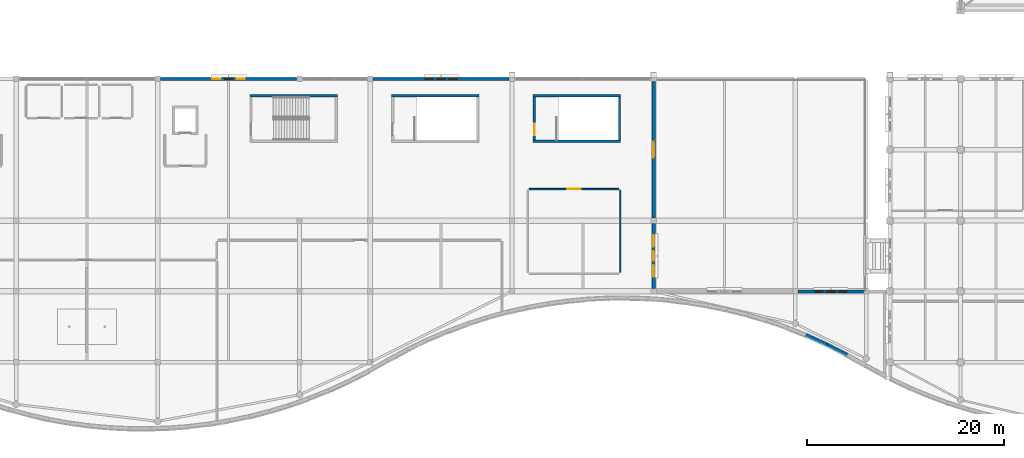
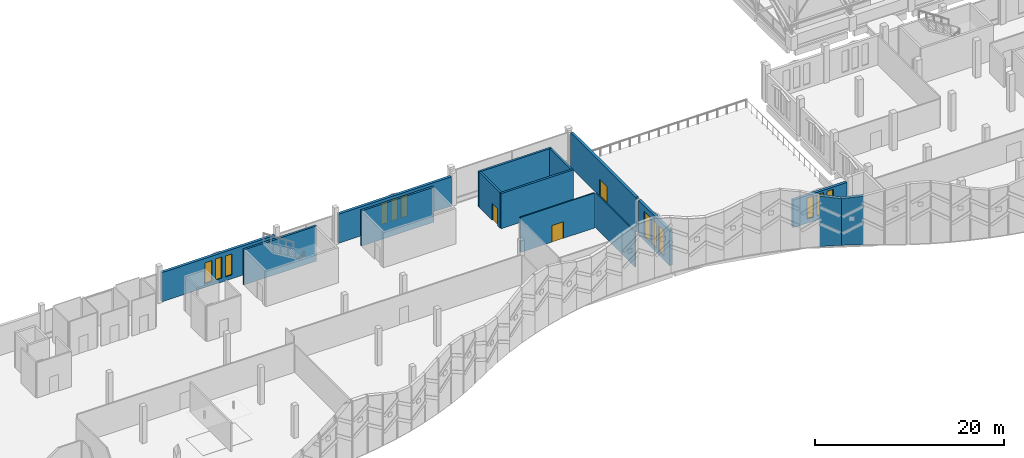
# One storey, part 86 of 116: 15 walls, 12 windows, 3 doors, 15 openings.
"""IFC4 building model written with IfcOpenShell, lengths in metres."""

from ifc_helpers import new_model, si_unit, direction, frame, frame_2d, origin, place, context, subcontext, project, spatial, polyline, rectangle, outline, extrude, material, layer, layer_set, type_object, element, fill, save


model = new_model("IFC4")

# Units and contexts
model_context = context("Model", 3, precision=1e-05, world=origin(), true_north=direction((0.0, 1.0)))
body_context = subcontext(model_context, "Body", "Model", "MODEL_VIEW")
ifc_project = project(units=[si_unit("LENGTHUNIT", "METRE"), si_unit("AREAUNIT", "SQUARE_METRE"), si_unit("VOLUMEUNIT", "CUBIC_METRE"), si_unit("PLANEANGLEUNIT", "RADIAN"), si_unit("MASSUNIT", "GRAM", prefix="KILO")], contexts=[model_context])

# Site, building, storey
site_placement = place(None, origin())
site = spatial("IfcSite", under=ifc_project, at=site_placement, CompositionType="ELEMENT")
building_placement = place(site_placement, origin())
building = spatial("IfcBuilding", under=site, at=building_placement, Name="Cendralis Lancet Convention Centre", CompositionType="ELEMENT")
storey_placement = place(building_placement, frame((0.0, 0.0, 15.0)))
storey = spatial("IfcBuildingStorey", under=building, at=storey_placement, Name="L03", CompositionType="ELEMENT", Elevation=15.0)

# Wall, openings, windows
ifc_material_1 = material(Name="Buff sandstone ashlar and Concrete G40 (C40/50)", Category="masonry")
ifc_layer_1 = layer(ifc_material_1, 0.320068359375, Name="Buff sandstone ashlar and Concrete G40 (C40/50)")
ifc_layer_set_1 = layer_set([ifc_layer_1], Name="Buff sandstone ashlar and Concrete G40 (C40/50)")
wall_type_1 = type_object("IfcWallType", Name="ARC-EW-W320", PredefinedType="STANDARD", material=ifc_layer_set_1)
wall_1_placement = place(storey_placement, frame((57.883056640625, 36.0, 0.0), z_axis=(0.0, 0.0, 1.0), x_axis=(1.0, 0.0, 0.0)))
wall_1 = element("IfcWall", 1, at=wall_1_placement, inside=storey, type_object=wall_type_1, Name="L03 V4 Exterior Wall EW-06 #0220", PredefinedType="STANDARD", context=body_context, shape_type="SweptSolid", body=[
    extrude(rectangle(XDim=13.833984375, YDim=0.320068359375, at=frame_2d((6.9169921875, 0.0))), origin(), (0.0, 0.0, 1.0), 3.784912109375),
])
opening_1_placement = place(wall_1_placement, frame((5.257080078125, 0.0, 0.5)))
opening_1 = element("IfcOpeningElement", 2, at=opening_1_placement, cuts=wall_1, Name="Opening WN-15", PredefinedType="OPENING", context=body_context, shape_type="SweptSolid", body=[
    extrude(rectangle(XDim=0.840087890625, YDim=2.699951171875, at=frame_2d((0.419921875, 1.35009765625))), frame((0.0, 0.169921875, 0.0), z_axis=(0.0, -1.0, 0.0), x_axis=(1.0, 0.0, 0.0)), (0.0, 0.0, 1.0), 0.340087890625),
])
opening_2_placement = place(wall_1_placement, frame((6.51708984375, 0.0, 0.5)))
opening_2 = element("IfcOpeningElement", 3, at=opening_2_placement, cuts=wall_1, Name="Opening WN-07", PredefinedType="OPENING", context=body_context, shape_type="SweptSolid", body=[
    extrude(rectangle(XDim=0.800048828125, YDim=2.75, at=frame_2d((0.39990234375, 1.375))), frame((0.0, 0.169921875, 0.0), z_axis=(0.0, -1.0, 0.0), x_axis=(1.0, 0.0, 0.0)), (0.0, 0.0, 1.0), 0.340087890625),
])
opening_3_placement = place(wall_1_placement, frame((7.737060546875, 0.0, 0.5)))
opening_3 = element("IfcOpeningElement", 4, at=opening_3_placement, cuts=wall_1, Name="Opening WN-15", PredefinedType="OPENING", context=body_context, shape_type="SweptSolid", body=[
    extrude(rectangle(XDim=0.840087890625, YDim=2.699951171875, at=frame_2d((0.419921875, 1.35009765625))), frame((0.0, 0.169921875, 0.0), z_axis=(0.0, -1.0, 0.0), x_axis=(1.0, 0.0, 0.0)), (0.0, 0.0, 1.0), 0.340087890625),
])
ifc_material_2 = material(Name="Double-glazed low-E solar-control glass", Category="glass")
window_type_1 = type_object("IfcWindowType", Name="ARC-WN-LW07", PartitioningType="SINGLE_PANEL", PredefinedType="WINDOW", material=ifc_material_2)
window_1_placement = place(opening_2_placement, origin())
window_1 = element("IfcWindow", 5, at=window_1_placement, inside=storey, type_object=window_type_1, Name="Gothic Lancet Window WN-07 #0440", OverallHeight=2.75, OverallWidth=0.800048828125, PartitioningType="SINGLE_PANEL", PredefinedType="WINDOW", context=body_context, shape_type="SweptSolid", body=[
    extrude(rectangle(XDim=0.800048828125, YDim=2.75, at=frame_2d((0.39990234375, 1.375))), frame((0.0, 0.030029296875, 0.0), z_axis=(0.0, -1.0, 0.0), x_axis=(1.0, 0.0, 0.0)), (0.0, 0.0, 1.0), 0.06005859375),
])
fill(opening_2, window_1)
window_type_2 = type_object("IfcWindowType", Name="ARC-WN-LW15", PartitioningType="SINGLE_PANEL", PredefinedType="WINDOW", material=ifc_material_2)
window_2_placement = place(opening_1_placement, origin())
window_2 = element("IfcWindow", 6, at=window_2_placement, inside=storey, type_object=window_type_2, Name="Gothic Lancet Window WN-15 #0439", OverallHeight=2.699951171875, OverallWidth=0.840087890625, PartitioningType="SINGLE_PANEL", PredefinedType="WINDOW", context=body_context, shape_type="SweptSolid", body=[
    extrude(rectangle(XDim=0.840087890625, YDim=2.699951171875, at=frame_2d((0.419921875, 1.35009765625))), frame((0.0, 0.030029296875, 0.0), z_axis=(0.0, -1.0, 0.0), x_axis=(1.0, 0.0, 0.0)), (0.0, 0.0, 1.0), 0.06005859375),
])
fill(opening_1, window_2)
window_3_placement = place(opening_3_placement, origin())
window_3 = element("IfcWindow", 7, at=window_3_placement, inside=storey, type_object=window_type_2, Name="Gothic Lancet Window WN-15 #0441", OverallHeight=2.699951171875, OverallWidth=0.840087890625, PartitioningType="SINGLE_PANEL", PredefinedType="WINDOW", context=body_context, shape_type="SweptSolid", body=[
    extrude(rectangle(XDim=0.840087890625, YDim=2.699951171875, at=frame_2d((0.419921875, 1.35009765625))), frame((0.0, 0.030029296875, 0.0), z_axis=(0.0, -1.0, 0.0), x_axis=(1.0, 0.0, 0.0)), (0.0, 0.0, 1.0), 0.06005859375),
])
fill(opening_3, window_3)

wall_2_placement = place(storey_placement, frame((79.48291015625, 36.0, 0.0), z_axis=(0.0, 0.0, 1.0), x_axis=(1.0, 0.0, 0.0)))
wall_2 = element("IfcWall", 8, at=wall_2_placement, inside=storey, type_object=wall_type_1, Name="L03 V4 Exterior Wall EW-06 #0221", PredefinedType="STANDARD", context=body_context, shape_type="SweptSolid", body=[
    extrude(rectangle(XDim=13.833984375, YDim=0.320068359375, at=frame_2d((6.9169921875, 0.0))), origin(), (0.0, 0.0, 1.0), 3.784912109375),
])
opening_4_placement = place(wall_2_placement, frame((5.297119140625, 0.0, 0.5)))
opening_4 = element("IfcOpeningElement", 9, at=opening_4_placement, cuts=wall_2, Name="Opening WN-07", PredefinedType="OPENING", context=body_context, shape_type="SweptSolid", body=[
    extrude(rectangle(XDim=0.800048828125, YDim=2.75, at=frame_2d((0.39990234375, 1.375))), frame((0.0, 0.169921875, 0.0), z_axis=(0.0, -1.0, 0.0), x_axis=(1.0, 0.0, 0.0)), (0.0, 0.0, 1.0), 0.340087890625),
])
opening_5_placement = place(wall_2_placement, frame((6.51708984375, 0.0, 0.5)))
opening_5 = element("IfcOpeningElement", 10, at=opening_5_placement, cuts=wall_2, Name="Opening WN-07", PredefinedType="OPENING", context=body_context, shape_type="SweptSolid", body=[
    extrude(rectangle(XDim=0.800048828125, YDim=2.75, at=frame_2d((0.39990234375, 1.375))), frame((0.0, 0.169921875, 0.0), z_axis=(0.0, -1.0, 0.0), x_axis=(1.0, 0.0, 0.0)), (0.0, 0.0, 1.0), 0.340087890625),
])
opening_6_placement = place(wall_2_placement, frame((7.737060546875, 0.0, 0.5)))
opening_6 = element("IfcOpeningElement", 11, at=opening_6_placement, cuts=wall_2, Name="Opening WN-07", PredefinedType="OPENING", context=body_context, shape_type="SweptSolid", body=[
    extrude(rectangle(XDim=0.800048828125, YDim=2.75, at=frame_2d((0.39990234375, 1.375))), frame((0.0, 0.169921875, 0.0), z_axis=(0.0, -1.0, 0.0), x_axis=(1.0, 0.0, 0.0)), (0.0, 0.0, 1.0), 0.340087890625),
])
window_4_placement = place(opening_4_placement, origin())
window_4 = element("IfcWindow", 12, at=window_4_placement, inside=storey, type_object=window_type_1, Name="Gothic Lancet Window WN-07 #0442", OverallHeight=2.75, OverallWidth=0.800048828125, PartitioningType="SINGLE_PANEL", PredefinedType="WINDOW", context=body_context, shape_type="SweptSolid", body=[
    extrude(rectangle(XDim=0.800048828125, YDim=2.75, at=frame_2d((0.39990234375, 1.375))), frame((0.0, 0.030029296875, 0.0), z_axis=(0.0, -1.0, 0.0), x_axis=(1.0, 0.0, 0.0)), (0.0, 0.0, 1.0), 0.06005859375),
])
fill(opening_4, window_4)
window_5_placement = place(opening_5_placement, origin())
window_5 = element("IfcWindow", 13, at=window_5_placement, inside=storey, type_object=window_type_1, Name="Gothic Lancet Window WN-07 #0443", OverallHeight=2.75, OverallWidth=0.800048828125, PartitioningType="SINGLE_PANEL", PredefinedType="WINDOW", context=body_context, shape_type="SweptSolid", body=[
    extrude(rectangle(XDim=0.800048828125, YDim=2.75, at=frame_2d((0.39990234375, 1.375))), frame((0.0, 0.030029296875, 0.0), z_axis=(0.0, -1.0, 0.0), x_axis=(1.0, 0.0, 0.0)), (0.0, 0.0, 1.0), 0.06005859375),
])
fill(opening_5, window_5)
window_6_placement = place(opening_6_placement, origin())
window_6 = element("IfcWindow", 14, at=window_6_placement, inside=storey, type_object=window_type_1, Name="Gothic Lancet Window WN-07 #0444", OverallHeight=2.75, OverallWidth=0.800048828125, PartitioningType="SINGLE_PANEL", PredefinedType="WINDOW", context=body_context, shape_type="SweptSolid", body=[
    extrude(rectangle(XDim=0.800048828125, YDim=2.75, at=frame_2d((0.39990234375, 1.375))), frame((0.0, 0.030029296875, 0.0), z_axis=(0.0, -1.0, 0.0), x_axis=(1.0, 0.0, 0.0)), (0.0, 0.0, 1.0), 0.06005859375),
])
fill(opening_6, window_6)

wall_3_placement = place(storey_placement, frame((122.68310546875, 14.39990234375, 0.0), z_axis=(0.0, 0.0, 1.0), x_axis=(1.0, 0.0, 0.0)))
wall_3 = element("IfcWall", 15, at=wall_3_placement, inside=storey, type_object=wall_type_1, Name="L03 V4 Exterior Wall EW-06 #0227", PredefinedType="STANDARD", context=body_context, shape_type="SweptSolid", body=[
    extrude(rectangle(XDim=6.6337890625, YDim=0.320068359375, at=frame_2d((3.31689453125, 0.0))), origin(), (0.0, 0.0, 1.0), 3.56494140625),
])
opening_7_placement = place(wall_3_placement, frame((1.697021484375, 0.0, 0.5)))
opening_7 = element("IfcOpeningElement", 16, at=opening_7_placement, cuts=wall_3, Name="Opening WN-07", PredefinedType="OPENING", context=body_context, shape_type="SweptSolid", body=[
    extrude(rectangle(XDim=0.800048828125, YDim=2.75, at=frame_2d((0.39990234375, 1.375))), frame((0.0, 0.169921875, 0.0), z_axis=(0.0, -1.0, 0.0), x_axis=(1.0, 0.0, 0.0)), (0.0, 0.0, 1.0), 0.340087890625),
])
opening_8_placement = place(wall_3_placement, frame((2.9169921875, 0.0, 0.5)))
opening_8 = element("IfcOpeningElement", 17, at=opening_8_placement, cuts=wall_3, Name="Opening WN-07", PredefinedType="OPENING", context=body_context, shape_type="SweptSolid", body=[
    extrude(rectangle(XDim=0.800048828125, YDim=2.75, at=frame_2d((0.39990234375, 1.375))), frame((0.0, 0.169921875, 0.0), z_axis=(0.0, -1.0, 0.0), x_axis=(1.0, 0.0, 0.0)), (0.0, 0.0, 1.0), 0.340087890625),
])
opening_9_placement = place(wall_3_placement, frame((4.136962890625, 0.0, 0.5)))
opening_9 = element("IfcOpeningElement", 18, at=opening_9_placement, cuts=wall_3, Name="Opening WN-07", PredefinedType="OPENING", context=body_context, shape_type="SweptSolid", body=[
    extrude(rectangle(XDim=0.800048828125, YDim=2.75, at=frame_2d((0.39990234375, 1.375))), frame((0.0, 0.169921875, 0.0), z_axis=(0.0, -1.0, 0.0), x_axis=(1.0, 0.0, 0.0)), (0.0, 0.0, 1.0), 0.340087890625),
])
window_7_placement = place(opening_7_placement, origin())
window_7 = element("IfcWindow", 19, at=window_7_placement, inside=storey, type_object=window_type_1, Name="Gothic Lancet Window WN-07 #0460", OverallHeight=2.75, OverallWidth=0.800048828125, PartitioningType="SINGLE_PANEL", PredefinedType="WINDOW", context=body_context, shape_type="SweptSolid", body=[
    extrude(rectangle(XDim=0.800048828125, YDim=2.75, at=frame_2d((0.39990234375, 1.375))), frame((0.0, 0.030029296875, 0.0), z_axis=(0.0, -1.0, 0.0), x_axis=(1.0, 0.0, 0.0)), (0.0, 0.0, 1.0), 0.06005859375),
])
fill(opening_7, window_7)
window_8_placement = place(opening_8_placement, origin())
window_8 = element("IfcWindow", 20, at=window_8_placement, inside=storey, type_object=window_type_1, Name="Gothic Lancet Window WN-07 #0461", OverallHeight=2.75, OverallWidth=0.800048828125, PartitioningType="SINGLE_PANEL", PredefinedType="WINDOW", context=body_context, shape_type="SweptSolid", body=[
    extrude(rectangle(XDim=0.800048828125, YDim=2.75, at=frame_2d((0.39990234375, 1.375))), frame((0.0, 0.030029296875, 0.0), z_axis=(0.0, -1.0, 0.0), x_axis=(1.0, 0.0, 0.0)), (0.0, 0.0, 1.0), 0.06005859375),
])
fill(opening_8, window_8)
window_9_placement = place(opening_9_placement, origin())
window_9 = element("IfcWindow", 21, at=window_9_placement, inside=storey, type_object=window_type_1, Name="Gothic Lancet Window WN-07 #0462", OverallHeight=2.75, OverallWidth=0.800048828125, PartitioningType="SINGLE_PANEL", PredefinedType="WINDOW", context=body_context, shape_type="SweptSolid", body=[
    extrude(rectangle(XDim=0.800048828125, YDim=2.75, at=frame_2d((0.39990234375, 1.375))), frame((0.0, 0.030029296875, 0.0), z_axis=(0.0, -1.0, 0.0), x_axis=(1.0, 0.0, 0.0)), (0.0, 0.0, 1.0), 0.06005859375),
])
fill(opening_9, window_9)

wall_4_placement = place(storey_placement, frame((108.0, 21.31689453125, 0.0), z_axis=(0.0, 0.0, 1.0), x_axis=(0.0, -1.0, 0.0)))
wall_4 = element("IfcWall", 22, at=wall_4_placement, inside=storey, type_object=wall_type_1, Name="L03 V4 Exterior Wall EW-06 #0229", PredefinedType="STANDARD", context=body_context, shape_type="SweptSolid", body=[
    extrude(rectangle(XDim=6.6337890625, YDim=0.320068359375, at=frame_2d((3.31689453125, 0.0))), origin(), (0.0, 0.0, 1.0), 4.5),
])
opening_10_placement = place(wall_4_placement, frame((1.197021484375, 0.0, 0.5)))
opening_10 = element("IfcOpeningElement", 23, at=opening_10_placement, cuts=wall_4, Name="Opening WN-14", PredefinedType="OPENING", context=body_context, shape_type="SweptSolid", body=[
    extrude(rectangle(XDim=1.199951171875, YDim=3.280029296875, at=frame_2d((0.60009765625, 1.64013671875))), frame((0.0, 0.169921875, 0.0), z_axis=(0.0, -1.0, 0.0), x_axis=(1.0, 0.0, 0.0)), (0.0, 0.0, 1.0), 0.340087890625),
])
opening_11_placement = place(wall_4_placement, frame((2.81689453125, 0.0, 0.5)))
opening_11 = element("IfcOpeningElement", 24, at=opening_11_placement, cuts=wall_4, Name="Opening WN-10", PredefinedType="OPENING", context=body_context, shape_type="SweptSolid", body=[
    extrude(rectangle(XDim=1.0, YDim=3.25, at=frame_2d((0.5, 1.625))), frame((0.0, 0.169921875, 0.0), z_axis=(0.0, -1.0, 0.0), x_axis=(1.0, 0.0, 0.0)), (0.0, 0.0, 1.0), 0.340087890625),
])
opening_12_placement = place(wall_4_placement, frame((4.237060546875, 0.0, 0.5)))
opening_12 = element("IfcOpeningElement", 25, at=opening_12_placement, cuts=wall_4, Name="Opening WN-14", PredefinedType="OPENING", context=body_context, shape_type="SweptSolid", body=[
    extrude(rectangle(XDim=1.199951171875, YDim=3.280029296875, at=frame_2d((0.60009765625, 1.64013671875))), frame((0.0, 0.169921875, 0.0), z_axis=(0.0, -1.0, 0.0), x_axis=(1.0, 0.0, 0.0)), (0.0, 0.0, 1.0), 0.340087890625),
])
window_type_3 = type_object("IfcWindowType", Name="ARC-WN-LW10", PartitioningType="SINGLE_PANEL", PredefinedType="WINDOW", material=ifc_material_2)
window_10_placement = place(opening_11_placement, origin())
window_10 = element("IfcWindow", 26, at=window_10_placement, inside=storey, type_object=window_type_3, Name="Gothic Lancet Window WN-10 #0464", OverallHeight=3.25, OverallWidth=1.0, PartitioningType="SINGLE_PANEL", PredefinedType="WINDOW", context=body_context, shape_type="SweptSolid", body=[
    extrude(rectangle(XDim=1.0, YDim=3.25, at=frame_2d((0.5, 1.625))), frame((0.0, 0.030029296875, 0.0), z_axis=(0.0, -1.0, 0.0), x_axis=(1.0, 0.0, 0.0)), (0.0, 0.0, 1.0), 0.06005859375),
])
fill(opening_11, window_10)
window_type_4 = type_object("IfcWindowType", Name="ARC-WN-LW14", PartitioningType="SINGLE_PANEL", PredefinedType="WINDOW", material=ifc_material_2)
window_11_placement = place(opening_10_placement, origin())
window_11 = element("IfcWindow", 27, at=window_11_placement, inside=storey, type_object=window_type_4, Name="Gothic Lancet Window WN-14 #0463", OverallHeight=3.280029296875, OverallWidth=1.199951171875, PartitioningType="SINGLE_PANEL", PredefinedType="WINDOW", context=body_context, shape_type="SweptSolid", body=[
    extrude(rectangle(XDim=1.199951171875, YDim=3.280029296875, at=frame_2d((0.60009765625, 1.64013671875))), frame((0.0, 0.030029296875, 0.0), z_axis=(0.0, -1.0, 0.0), x_axis=(1.0, 0.0, 0.0)), (0.0, 0.0, 1.0), 0.06005859375),
])
fill(opening_10, window_11)
window_12_placement = place(opening_12_placement, origin())
window_12 = element("IfcWindow", 28, at=window_12_placement, inside=storey, type_object=window_type_4, Name="Gothic Lancet Window WN-14 #0465", OverallHeight=3.280029296875, OverallWidth=1.199951171875, PartitioningType="SINGLE_PANEL", PredefinedType="WINDOW", context=body_context, shape_type="SweptSolid", body=[
    extrude(rectangle(XDim=1.199951171875, YDim=3.280029296875, at=frame_2d((0.60009765625, 1.64013671875))), frame((0.0, 0.030029296875, 0.0), z_axis=(0.0, -1.0, 0.0), x_axis=(1.0, 0.0, 0.0)), (0.0, 0.0, 1.0), 0.06005859375),
])
fill(opening_12, window_12)

# Wall, opening, door
wall_5_placement = place(storey_placement, frame((108.0, 35.717041015625, 0.0), z_axis=(0.0, 0.0, 1.0), x_axis=(0.0, -1.0, 0.0)))
wall_5 = element("IfcWall", 29, at=wall_5_placement, inside=storey, type_object=wall_type_1, Name="L03 V4 Exterior Wall EW-06 #0230", PredefinedType="STANDARD", context=body_context, shape_type="SweptSolid", body=[
    extrude(rectangle(XDim=13.833984375, YDim=0.320068359375, at=frame_2d((6.9169921875, 0.0))), origin(), (0.0, 0.0, 1.0), 4.5),
])
opening_13_placement = place(wall_5_placement, frame((6.116943359375, 0.0, 0.0)))
opening_13 = element("IfcOpeningElement", 30, at=opening_13_placement, cuts=wall_5, Name="Opening TR-D1", PredefinedType="OPENING", context=body_context, shape_type="SweptSolid", body=[
    extrude(rectangle(XDim=1.60009765625, YDim=2.199951171875, at=frame_2d((0.800048828125, 1.10009765625))), frame((0.0, 0.169921875, 0.0), z_axis=(0.0, -1.0, 0.0), x_axis=(1.0, 0.0, 0.0)), (0.0, 0.0, 1.0), 0.340087890625),
])
ifc_material_3 = material(Name="Anodised bronze architectural aluminium", Category="aluminium")
door_type_1 = type_object("IfcDoorType", Name="ARC-DR-TR16", OperationType="NOTDEFINED", PredefinedType="DOOR", material=ifc_material_3)
door_1_placement = place(opening_13_placement, origin())
door_1 = element("IfcDoor", 31, at=door_1_placement, inside=storey, type_object=door_type_1, Name="L03-D003 Terrace Access Door #049", OperationType="DOUBLE_DOOR_SINGLE_SWING", OverallHeight=2.199951171875, OverallWidth=1.60009765625, PredefinedType="DOOR", context=body_context, shape_type="SweptSolid", body=[
    extrude(rectangle(XDim=1.60009765625, YDim=2.199951171875, at=frame_2d((0.800048828125, 1.10009765625))), frame((0.0, 0.02490234375, 0.0), z_axis=(0.0, -1.0, 0.0), x_axis=(1.0, 0.0, 0.0)), (0.0, 0.0, 1.0), 0.050048828125),
])
fill(opening_13, door_1)

# Walls
ifc_layer_2 = layer(ifc_material_1, 0.340087890625, Name="Buff sandstone ashlar and Concrete G40 (C40/50)")
ifc_layer_set_2 = layer_set([ifc_layer_2], Name="Buff sandstone ashlar and Concrete G40 (C40/50)")
wall_type_2 = type_object("IfcWallType", Name="ARC-EW-W340", PredefinedType="STANDARD", material=ifc_layer_set_2)
wall_6_placement = place(storey_placement, frame((123.46142578125, 9.97607421875, 0.0), z_axis=(0.0, 0.0, 1.0), x_axis=(0.911443451381, -0.411425369823, 0.0)))
element("IfcWall", 32, at=wall_6_placement, inside=storey, type_object=wall_type_2, Name="South Boulevard Wave Crest Wall L03 WP-062-WP-063", PredefinedType="STANDARD", context=body_context, shape_type="SweptSolid", body=[
    extrude(outline(polyline([(0.0, 0.0), (2.39208984375, 0.0), (2.391845703125, 6.0234375), (0.0, 6.52587890625), (0.0, 0.0)])), frame((0.0, 0.169921875, 0.0), z_axis=(0.0, -1.0, 0.0), x_axis=(1.0, 0.0, 0.0)), (0.0, 0.0, 1.0), 0.340087890625),
])
wall_7_placement = place(storey_placement, frame((125.48828125, 9.065673828125, 0.0), z_axis=(0.0, 0.0, 1.0), x_axis=(0.891025010913, -0.453954215673, 0.0)))
element("IfcWall", 33, at=wall_7_placement, inside=storey, type_object=wall_type_2, Name="South Boulevard Wave Crest Wall L03 WP-063-WP-064", PredefinedType="STANDARD", context=body_context, shape_type="SweptSolid", body=[
    extrude(outline(polyline([(0.0, 0.0), (2.44384765625, 0.0), (2.443603515625, 6.2626953125), (0.0, 6.03466796875), (0.0, 0.0)])), frame((0.0, 0.169921875, 0.0), z_axis=(0.0, -1.0, 0.0), x_axis=(1.0, 0.0, 0.0)), (0.0, 0.0, 1.0), 0.340087890625),
])

# Wall, opening, door
ifc_material_4 = material(Name="Acoustic fire-rated gypsum board on steel studs", Category="steel")
ifc_layer_3 = layer(ifc_material_4, 0.139892578125, Name="Acoustic fire-rated gypsum board on steel studs")
ifc_layer_set_3 = layer_set([ifc_layer_3], Name="Acoustic fire-rated gypsum board on steel studs")
wall_type_3 = type_object("IfcWallType", Name="ARC-IW-P140", PredefinedType="PARTITIONING", material=ifc_layer_set_3)
wall_8_placement = place(storey_placement, frame((95.340087890625, 24.800048828125, 0.0), z_axis=(0.0, 0.0, 1.0), x_axis=(1.0, 0.0, 0.0)))
wall_8 = element("IfcWall", 34, at=wall_8_placement, inside=storey, type_object=wall_type_3, Name="L03 Interior Partition IW-04 #0293", PredefinedType="PARTITIONING", context=body_context, shape_type="SweptSolid", body=[
    extrude(rectangle(XDim=9.119873046875, YDim=0.139892578125, at=frame_2d((4.56005859375, 0.0))), origin(), (0.0, 0.0, 1.0), 4.534912109375),
])
opening_14_placement = place(wall_8_placement, frame((3.860107421875, 0.0, 0.0)))
opening_14 = element("IfcOpeningElement", 35, at=opening_14_placement, cuts=wall_8, Name="Opening ID-14", PredefinedType="OPENING", context=body_context, shape_type="SweptSolid", body=[
    extrude(rectangle(XDim=1.39990234375, YDim=2.14990234375, at=frame_2d((0.699951171875, 1.074951171875))), frame((0.0, 0.079833984375, 0.0), z_axis=(0.0, -1.0, 0.0), x_axis=(1.0, 0.0, 0.0)), (0.0, 0.0, 1.0), 0.159912109375),
])
ifc_material_5 = material(Name="Acoustic Chilean lenga timber and steel fire leaf", Category="steel")
door_type_2 = type_object("IfcDoorType", Name="ARC-DR-DB14", OperationType="NOTDEFINED", PredefinedType="DOOR", material=ifc_material_5)
door_2_placement = place(opening_14_placement, frame((1.39990234375, 0.0, 0.0), z_axis=(0.0, 0.0, 1.0), x_axis=(-1.0, 0.0, 0.0)))
door_2 = element("IfcDoor", 36, at=door_2_placement, inside=storey, type_object=door_type_2, Name="L03-D017 L03 Interior Door ID-14 #0097", OperationType="DOUBLE_DOOR_SINGLE_SWING", OverallHeight=2.14990234375, OverallWidth=1.39990234375, PredefinedType="DOOR", context=body_context, shape_type="SweptSolid", body=[
    extrude(rectangle(XDim=1.39990234375, YDim=2.14990234375, at=frame_2d((0.699951171875, 1.074951171875))), frame((0.0, 0.02490234375, 0.0), z_axis=(0.0, -1.0, 0.0), x_axis=(1.0, 0.0, 0.0)), (0.0, 0.0, 1.0), 0.050048828125),
])
fill(opening_14, door_2)

# Walls
wall_9_placement = place(storey_placement, frame((104.60009765625, 16.340087890625, 0.0), z_axis=(0.0, 0.0, 1.0), x_axis=(0.0, 1.0, 0.0)))
element("IfcWall", 37, at=wall_9_placement, inside=storey, type_object=wall_type_3, Name="L03 Interior Partition IW-04 #0295", PredefinedType="PARTITIONING", context=body_context, shape_type="SweptSolid", body=[
    extrude(rectangle(XDim=8.31982421875, YDim=0.139892578125, at=frame_2d((4.159912109375, 0.0))), origin(), (0.0, 0.0, 1.0), 4.534912109375),
])
ifc_material_6 = material(Name="Concrete G40 (C40/50)", Category="concrete")
ifc_layer_4 = layer(ifc_material_6, 0.25, Name="Concrete G40 (C40/50)")
ifc_layer_set_4 = layer_set([ifc_layer_4], Name="Concrete G40 (C40/50)")
wall_type_4 = type_object("IfcWallType", Name="STR-SW-CW250", PredefinedType="SHEAR", material=ifc_layer_set_4)
wall_10_placement = place(storey_placement, frame((66.949951171875, 34.304931640625, 0.0), z_axis=(0.0, 0.0, 1.0), x_axis=(1.0, 0.0, 0.0)))
element("IfcWall", 38, at=wall_10_placement, inside=storey, type_object=wall_type_4, Name="L03 Stair Core ST-12 North Shear Wall", PredefinedType="SHEAR", context=body_context, shape_type="SweptSolid", body=[
    extrude(rectangle(XDim=8.900146484375, YDim=0.25, at=frame_2d((4.4501953125, 0.0))), origin(), (0.0, 0.0, 1.0), 4.550048828125),
])

# Wall, opening, door
wall_11_placement = place(storey_placement, frame((95.875, 29.800048828125, 0.0), z_axis=(0.0, 0.0, 1.0), x_axis=(0.0, 1.0, 0.0)))
wall_11 = element("IfcWall", 39, at=wall_11_placement, inside=storey, type_object=wall_type_4, Name="L03 Stair Core ST-18 West Shear Wall", PredefinedType="SHEAR", context=body_context, shape_type="SweptSolid", body=[
    extrude(rectangle(XDim=4.3798828125, YDim=0.25, at=frame_2d((2.18994140625, 0.0))), origin(), (0.0, 0.0, 1.0), 4.550048828125),
])
opening_15_placement = place(wall_11_placement, frame((0.449951171875, 0.0, 0.0)))
opening_15 = element("IfcOpeningElement", 40, at=opening_15_placement, cuts=wall_11, Name="Opening SD-12", PredefinedType="OPENING", context=body_context, shape_type="SweptSolid", body=[
    extrude(rectangle(XDim=1.199951171875, YDim=2.14990234375, at=frame_2d((0.60009765625, 1.074951171875))), frame((0.0, 0.135009765625, 0.0), z_axis=(0.0, -1.0, 0.0), x_axis=(1.0, 0.0, 0.0)), (0.0, 0.0, 1.0), 0.27001953125),
])
ifc_material_7 = material(Name="Steel S355", Category="steel")
door_type_3 = type_object("IfcDoorType", Name="ARC-DR-ST12", OperationType="NOTDEFINED", PredefinedType="DOOR", material=ifc_material_7)
door_3_placement = place(opening_15_placement, frame((1.199951171875, 0.0, 0.0), z_axis=(0.0, 0.0, 1.0), x_axis=(-1.0, 0.0, 0.0)))
door_3 = element("IfcDoor", 41, at=door_3_placement, inside=storey, type_object=door_type_3, Name="L03-D062 L03 Exit Stair ST-18 Fire Door", OperationType="SINGLE_SWING_RIGHT", OverallHeight=2.14990234375, OverallWidth=1.199951171875, PredefinedType="DOOR", context=body_context, shape_type="SweptSolid", body=[
    extrude(rectangle(XDim=1.199951171875, YDim=2.14990234375, at=frame_2d((0.60009765625, 1.074951171875))), frame((0.0, 0.02490234375, 0.0), z_axis=(0.0, -1.0, 0.0), x_axis=(1.0, 0.0, 0.0)), (0.0, 0.0, 1.0), 0.050048828125),
])
fill(opening_15, door_3)

# Walls
wall_12_placement = place(storey_placement, frame((104.52490234375, 29.800048828125, 0.0), z_axis=(0.0, 0.0, 1.0), x_axis=(0.0, 1.0, 0.0)))
element("IfcWall", 42, at=wall_12_placement, inside=storey, type_object=wall_type_4, Name="L03 Stair Core ST-18 East Shear Wall", PredefinedType="SHEAR", context=body_context, shape_type="SweptSolid", body=[
    extrude(rectangle(XDim=4.3798828125, YDim=0.25, at=frame_2d((2.18994140625, 0.0))), origin(), (0.0, 0.0, 1.0), 4.550048828125),
])
for number, where, z_axis, x_axis, name in (
    (43, (95.75, 29.675048828125, 0.0), (0.0, 0.0, 1.0), (1.0, 0.0, 0.0), "L03 Stair Core ST-18 South Shear Wall"),
    (44, (95.75, 34.304931640625, 0.0), (0.0, 0.0, 1.0), (1.0, 0.0, 0.0), "L03 Stair Core ST-18 North Shear Wall"),
    (45, (81.35009765625, 34.304931640625, 0.0), (0.0, 0.0, 1.0), (1.0, 0.0, 0.0), "L03 Stair Core ST-21 North Shear Wall"),
):
    element("IfcWall", number, at=place(storey_placement, frame(where, z_axis=z_axis, x_axis=x_axis)), inside=storey, type_object=wall_type_4, Name=name, PredefinedType="SHEAR", context=body_context, shape_type="SweptSolid", body=[
        extrude(rectangle(XDim=8.89990234375, YDim=0.25, at=frame_2d((4.449951171875, 0.0))), origin(), (0.0, 0.0, 1.0), 4.550048828125),
    ])

save(model, "model.ifc")
